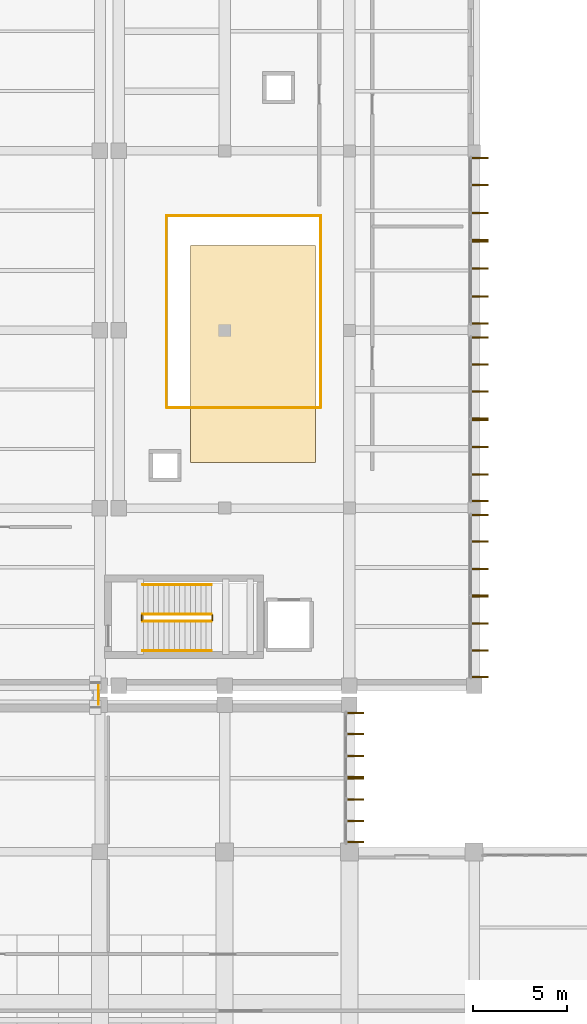
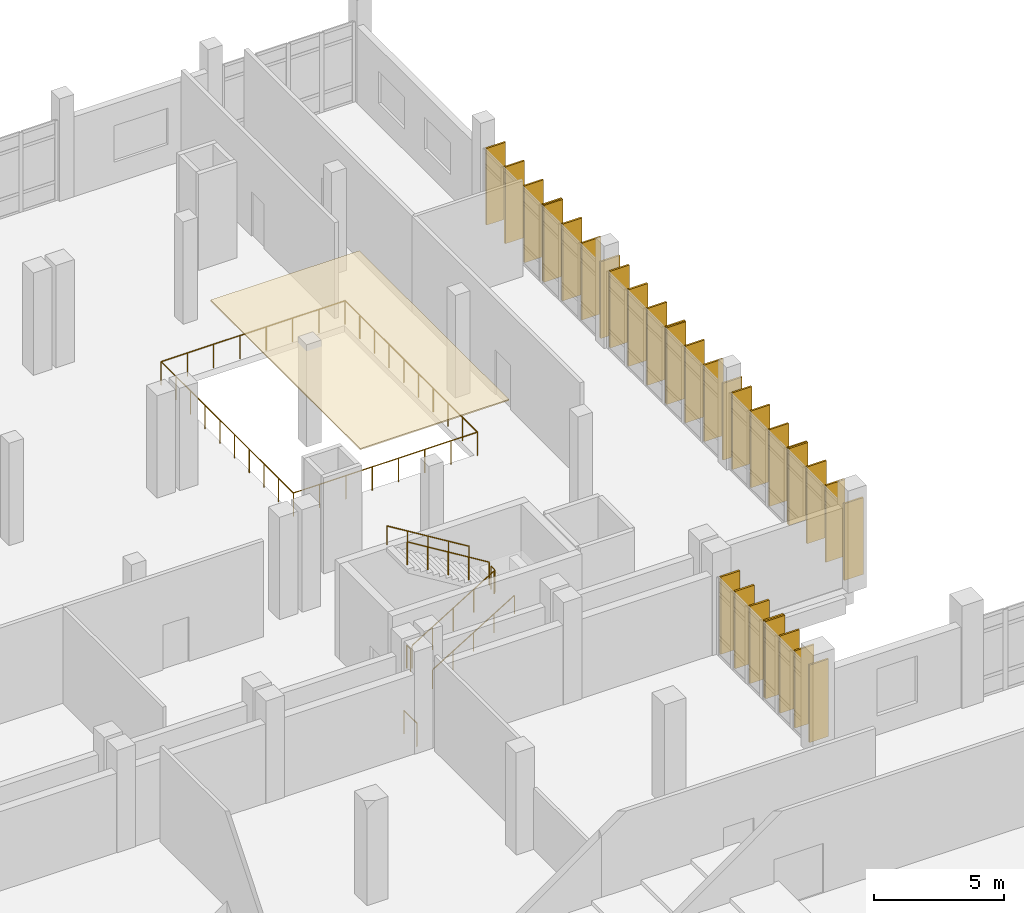
# One storey, part 89 of 90: 32 shading devices, 11 railings, 1 covering.
"""IFC4 building model written with IfcOpenShell, lengths in metres."""

from ifc_helpers import new_model, si_unit, direction, frame, origin, origin_2d, place, context, subcontext, project, spatial, polyline, rectangle, circle, outline, extrude, material, layer, layer_set, type_object, element, save


model = new_model("IFC4")

# Units and contexts
model_context = context("Model", 3, precision=1e-05, world=origin(), true_north=direction((0.0, 1.0)))
body_context = subcontext(model_context, "Body", "Model", "MODEL_VIEW")
ifc_project = project(units=[si_unit("LENGTHUNIT", "METRE"), si_unit("AREAUNIT", "SQUARE_METRE"), si_unit("VOLUMEUNIT", "CUBIC_METRE"), si_unit("PLANEANGLEUNIT", "RADIAN"), si_unit("MASSUNIT", "GRAM", prefix="KILO")], contexts=[model_context])

# Site, building, storey
site_placement = place(None, origin())
site = spatial("IfcSite", under=ifc_project, at=site_placement, CompositionType="ELEMENT")
building_placement = place(site_placement, origin())
building = spatial("IfcBuilding", under=site, at=building_placement, Name="Kelarvand Opera House", CompositionType="ELEMENT")
storey_placement = place(building_placement, frame((0.0, 0.0, 5.39990234375)))
storey = spatial("IfcBuildingStorey", under=building, at=storey_placement, Name="L01", CompositionType="ELEMENT", Elevation=5.39990234375)

# Railings
ifc_material_1 = material(Name="Brushed bronze tubular rail")
railing_type_1 = type_object("IfcRailingType", Name="Brushed Bronze Stair Wall Handrail 900", PredefinedType="HANDRAIL", material=ifc_material_1)
railing_1_placement = place(storey_placement, frame((117.659912109375, 89.050048828125, 0.171630859375)))
element("IfcRailing", 1, at=railing_1_placement, inside=storey, type_object=railing_type_1, Name="L01 ST-07 stair handrail 1", PredefinedType="HANDRAIL", context=body_context, shape_type="SweptSolid", body=[
    extrude(circle(Radius=0.02392578125, at=origin_2d()), frame((0.0, 0.0, 0.8759765625), z_axis=(0.852865859571, 0.0, 0.52213008492), x_axis=(0.0, 1.0, 0.0)), (0.0, 0.0, 1.0), 4.26806640625),
    extrude(circle(Radius=0.02099609375, at=origin_2d()), origin(), (0.0, 0.0, 1.0), 0.851806640625),
    extrude(circle(Radius=0.02099609375, at=origin_2d()), frame((0.91015625, 0.0, 0.55712890625)), (0.0, 0.0, 1.0), 0.851806640625),
    extrude(circle(Radius=0.02099609375, at=origin_2d()), frame((1.820068359375, 0.0, 1.1142578125)), (0.0, 0.0, 1.0), 0.851806640625),
    extrude(circle(Radius=0.02099609375, at=origin_2d()), frame((2.72998046875, 0.0, 1.67138671875)), (0.0, 0.0, 1.0), 0.851806640625),
    extrude(circle(Radius=0.02099609375, at=origin_2d()), frame((3.64013671875, 0.0, 2.228515625)), (0.0, 0.0, 1.0), 0.851806640625),
])
railing_2_placement = place(storey_placement, frame((121.300048828125, 92.550048828125, 2.571533203125)))
element("IfcRailing", 2, at=railing_2_placement, inside=storey, type_object=railing_type_1, Name="L01 ST-07 stair handrail 2", PredefinedType="HANDRAIL", context=body_context, shape_type="SweptSolid", body=[
    extrude(circle(Radius=0.02392578125, at=origin_2d()), frame((0.0, 0.0, 0.8759765625), z_axis=(-0.852865859571, 0.0, 0.52213008492), x_axis=(0.0, -1.0, 0.0)), (0.0, 0.0, 1.0), 4.26806640625),
    extrude(circle(Radius=0.02099609375, at=origin_2d()), origin(), (0.0, 0.0, 1.0), 0.851806640625),
    extrude(circle(Radius=0.02099609375, at=origin_2d()), frame((-0.91015625, 0.0, 0.55712890625)), (0.0, 0.0, 1.0), 0.851806640625),
    extrude(circle(Radius=0.02099609375, at=origin_2d()), frame((-1.820068359375, 0.0, 1.1142578125)), (0.0, 0.0, 1.0), 0.851806640625),
    extrude(circle(Radius=0.02099609375, at=origin_2d()), frame((-2.72998046875, 0.0, 1.67138671875)), (0.0, 0.0, 1.0), 0.851806640625),
    extrude(circle(Radius=0.02099609375, at=origin_2d()), frame((-3.64013671875, 0.0, 2.228515625)), (0.0, 0.0, 1.0), 0.851806640625),
])
ifc_material_2 = material(Name="Laminated safety glass with bronze cap rail", Category="glass")
railing_type_2 = type_object("IfcRailingType", Name="Laminated Glass and Bronze Foyer Balustrade 1120", PredefinedType="BALUSTRADE", material=ifc_material_2)
railing_3_placement = place(storey_placement, frame((127.080078125, 112.080078125, 0.0)))
element("IfcRailing", 3, at=railing_3_placement, inside=storey, type_object=railing_type_2, Name="V5 L01 Balustrade 45", PredefinedType="BALUSTRADE", context=body_context, shape_type="SweptSolid", body=[
    extrude(circle(Radius=0.02392578125, at=origin_2d()), frame((0.0, 0.0, 1.09619140625), z_axis=(0.0, -1.0, 0.0), x_axis=(1.0, 0.0, 0.0)), (0.0, 0.0, 1.0), 10.16015625),
    extrude(circle(Radius=0.02099609375, at=origin_2d()), origin(), (0.0, 0.0, 1.0), 1.072021484375),
    extrude(circle(Radius=0.02099609375, at=origin_2d()), frame((0.0, -1.12890625, 0.0)), (0.0, 0.0, 1.0), 1.072021484375),
    extrude(circle(Radius=0.02099609375, at=origin_2d()), frame((0.0, -2.2578125, 0.0)), (0.0, 0.0, 1.0), 1.072021484375),
    extrude(circle(Radius=0.02099609375, at=origin_2d()), frame((0.0, -3.38671875, 0.0)), (0.0, 0.0, 1.0), 1.072021484375),
    extrude(circle(Radius=0.02099609375, at=origin_2d()), frame((0.0, -4.515625, 0.0)), (0.0, 0.0, 1.0), 1.072021484375),
    extrude(circle(Radius=0.02099609375, at=origin_2d()), frame((0.0, -5.64453125, 0.0)), (0.0, 0.0, 1.0), 1.072021484375),
    extrude(circle(Radius=0.02099609375, at=origin_2d()), frame((0.0, -6.7734375, 0.0)), (0.0, 0.0, 1.0), 1.072021484375),
    extrude(circle(Radius=0.02099609375, at=origin_2d()), frame((0.0, -7.90234375, 0.0)), (0.0, 0.0, 1.0), 1.072021484375),
    extrude(circle(Radius=0.02099609375, at=origin_2d()), frame((0.0, -9.03125, 0.0)), (0.0, 0.0, 1.0), 1.072021484375),
    extrude(circle(Radius=0.02099609375, at=origin_2d()), frame((0.0, -10.16015625, 0.0)), (0.0, 0.0, 1.0), 1.072021484375),
])
railing_4_placement = place(storey_placement, frame((127.080078125, 101.919921875, 0.0)))
element("IfcRailing", 4, at=railing_4_placement, inside=storey, type_object=railing_type_2, Name="V5 L01 Balustrade 46", PredefinedType="BALUSTRADE", context=body_context, shape_type="SweptSolid", body=[
    extrude(circle(Radius=0.02392578125, at=origin_2d()), frame((0.0, 0.0, 1.09619140625), z_axis=(-1.0, 0.0, 0.0), x_axis=(0.0, -1.0, 0.0)), (0.0, 0.0, 1.0), 8.16015625),
    extrude(circle(Radius=0.02099609375, at=origin_2d()), origin(), (0.0, 0.0, 1.0), 1.072021484375),
    extrude(circle(Radius=0.02099609375, at=origin_2d()), frame((-1.165771484375, 0.0, 0.0)), (0.0, 0.0, 1.0), 1.072021484375),
    extrude(circle(Radius=0.02099609375, at=origin_2d()), frame((-2.33154296875, 0.0, 0.0)), (0.0, 0.0, 1.0), 1.072021484375),
    extrude(circle(Radius=0.02099609375, at=origin_2d()), frame((-3.497314453125, 0.0, 0.0)), (0.0, 0.0, 1.0), 1.072021484375),
    extrude(circle(Radius=0.02099609375, at=origin_2d()), frame((-4.662841796875, 0.0, 0.0)), (0.0, 0.0, 1.0), 1.072021484375),
    extrude(circle(Radius=0.02099609375, at=origin_2d()), frame((-5.82861328125, 0.0, 0.0)), (0.0, 0.0, 1.0), 1.072021484375),
    extrude(circle(Radius=0.02099609375, at=origin_2d()), frame((-6.994384765625, 0.0, 0.0)), (0.0, 0.0, 1.0), 1.072021484375),
    extrude(circle(Radius=0.02099609375, at=origin_2d()), frame((-8.16015625, 0.0, 0.0)), (0.0, 0.0, 1.0), 1.072021484375),
])
railing_5_placement = place(storey_placement, frame((118.919921875, 101.919921875, 0.0)))
element("IfcRailing", 5, at=railing_5_placement, inside=storey, type_object=railing_type_2, Name="V5 L01 Balustrade 47", PredefinedType="BALUSTRADE", context=body_context, shape_type="SweptSolid", body=[
    extrude(circle(Radius=0.02392578125, at=origin_2d()), frame((0.0, 0.0, 1.09619140625), z_axis=(0.0, 1.0, 0.0), x_axis=(-1.0, 0.0, 0.0)), (0.0, 0.0, 1.0), 10.16015625),
    extrude(circle(Radius=0.02099609375, at=origin_2d()), origin(), (0.0, 0.0, 1.0), 1.072021484375),
    extrude(circle(Radius=0.02099609375, at=origin_2d()), frame((0.0, 1.12890625, 0.0)), (0.0, 0.0, 1.0), 1.072021484375),
    extrude(circle(Radius=0.02099609375, at=origin_2d()), frame((0.0, 2.2578125, 0.0)), (0.0, 0.0, 1.0), 1.072021484375),
    extrude(circle(Radius=0.02099609375, at=origin_2d()), frame((0.0, 3.38671875, 0.0)), (0.0, 0.0, 1.0), 1.072021484375),
    extrude(circle(Radius=0.02099609375, at=origin_2d()), frame((0.0, 4.515625, 0.0)), (0.0, 0.0, 1.0), 1.072021484375),
    extrude(circle(Radius=0.02099609375, at=origin_2d()), frame((0.0, 5.64453125, 0.0)), (0.0, 0.0, 1.0), 1.072021484375),
    extrude(circle(Radius=0.02099609375, at=origin_2d()), frame((0.0, 6.7734375, 0.0)), (0.0, 0.0, 1.0), 1.072021484375),
    extrude(circle(Radius=0.02099609375, at=origin_2d()), frame((0.0, 7.90234375, 0.0)), (0.0, 0.0, 1.0), 1.072021484375),
    extrude(circle(Radius=0.02099609375, at=origin_2d()), frame((0.0, 9.03125, 0.0)), (0.0, 0.0, 1.0), 1.072021484375),
    extrude(circle(Radius=0.02099609375, at=origin_2d()), frame((0.0, 10.16015625, 0.0)), (0.0, 0.0, 1.0), 1.072021484375),
])
railing_6_placement = place(storey_placement, frame((118.919921875, 112.080078125, 0.0)))
element("IfcRailing", 6, at=railing_6_placement, inside=storey, type_object=railing_type_2, Name="V5 L01 Balustrade 48", PredefinedType="BALUSTRADE", context=body_context, shape_type="SweptSolid", body=[
    extrude(circle(Radius=0.02392578125, at=origin_2d()), frame((0.0, 0.0, 1.09619140625), z_axis=(1.0, 0.0, 0.0), x_axis=(0.0, 1.0, 0.0)), (0.0, 0.0, 1.0), 8.16015625),
    extrude(circle(Radius=0.02099609375, at=origin_2d()), origin(), (0.0, 0.0, 1.0), 1.072021484375),
    extrude(circle(Radius=0.02099609375, at=origin_2d()), frame((1.165771484375, 0.0, 0.0)), (0.0, 0.0, 1.0), 1.072021484375),
    extrude(circle(Radius=0.02099609375, at=origin_2d()), frame((2.33154296875, 0.0, 0.0)), (0.0, 0.0, 1.0), 1.072021484375),
    extrude(circle(Radius=0.02099609375, at=origin_2d()), frame((3.497314453125, 0.0, 0.0)), (0.0, 0.0, 1.0), 1.072021484375),
    extrude(circle(Radius=0.02099609375, at=origin_2d()), frame((4.662841796875, 0.0, 0.0)), (0.0, 0.0, 1.0), 1.072021484375),
    extrude(circle(Radius=0.02099609375, at=origin_2d()), frame((5.82861328125, 0.0, 0.0)), (0.0, 0.0, 1.0), 1.072021484375),
    extrude(circle(Radius=0.02099609375, at=origin_2d()), frame((6.994384765625, 0.0, 0.0)), (0.0, 0.0, 1.0), 1.072021484375),
    extrude(circle(Radius=0.02099609375, at=origin_2d()), frame((8.16015625, 0.0, 0.0)), (0.0, 0.0, 1.0), 1.072021484375),
])
railing_7_placement = place(storey_placement, frame((115.320068359375, 86.199951171875, 0.0)))
element("IfcRailing", 7, at=railing_7_placement, inside=storey, type_object=railing_type_2, Name="V1 L01 Balustrade 174", PredefinedType="BALUSTRADE", context=body_context, shape_type="SweptSolid", body=[
    extrude(circle(Radius=0.02392578125, at=origin_2d()), frame((0.0, 0.0, 1.09619140625), z_axis=(0.0, 1.0, 0.0), x_axis=(-1.0, 0.0, 0.0)), (0.0, 0.0, 1.0), 1.0),
    extrude(circle(Radius=0.02099609375, at=origin_2d()), origin(), (0.0, 0.0, 1.0), 1.072021484375),
    extrude(circle(Radius=0.02099609375, at=origin_2d()), frame((0.0, 1.0, 0.0)), (0.0, 0.0, 1.0), 1.072021484375),
])
ifc_material_3 = material(Name="Powder-coated Steel S355", Category="steel")
railing_type_3 = type_object("IfcRailingType", Name="Painted Steel Stair and Void Guardrail 1100", PredefinedType="GUARDRAIL", material=ifc_material_3)
railing_8_placement = place(storey_placement, frame((117.659912109375, 90.610107421875, 0.171630859375)))
element("IfcRailing", 8, at=railing_8_placement, inside=storey, type_object=railing_type_3, Name="L01 ST-07 stair guard 1", PredefinedType="GUARDRAIL", context=body_context, shape_type="SweptSolid", body=[
    extrude(circle(Radius=0.02392578125, at=origin_2d()), frame((0.0, 0.0, 1.076171875), z_axis=(0.852865859571, 0.0, 0.52213008492), x_axis=(0.0, 1.0, 0.0)), (0.0, 0.0, 1.0), 4.26806640625),
    extrude(circle(Radius=0.02099609375, at=origin_2d()), origin(), (0.0, 0.0, 1.0), 1.052001953125),
    extrude(circle(Radius=0.02099609375, at=origin_2d()), frame((0.91015625, 0.0, 0.55712890625)), (0.0, 0.0, 1.0), 1.052001953125),
    extrude(circle(Radius=0.02099609375, at=origin_2d()), frame((1.820068359375, 0.0, 1.1142578125)), (0.0, 0.0, 1.0), 1.052001953125),
    extrude(circle(Radius=0.02099609375, at=origin_2d()), frame((2.72998046875, 0.0, 1.67138671875)), (0.0, 0.0, 1.0), 1.052001953125),
    extrude(circle(Radius=0.02099609375, at=origin_2d()), frame((3.64013671875, 0.0, 2.228515625)), (0.0, 0.0, 1.0), 1.052001953125),
])
railing_9_placement = place(storey_placement, frame((121.35009765625, 90.659912109375, 2.400146484375)))
element("IfcRailing", 9, at=railing_9_placement, inside=storey, type_object=railing_type_3, Name="L01 ST-07 stair guard 2", PredefinedType="GUARDRAIL", context=body_context, shape_type="SweptSolid", body=[
    extrude(circle(Radius=0.02392578125, at=origin_2d()), frame((0.0, 0.0, 1.076171875), z_axis=(0.0, 1.0, 0.0), x_axis=(-1.0, 0.0, 0.0)), (0.0, 0.0, 1.0), 0.280029296875),
    extrude(circle(Radius=0.02099609375, at=origin_2d()), origin(), (0.0, 0.0, 1.0), 1.052001953125),
    extrude(circle(Radius=0.02099609375, at=origin_2d()), frame((0.0, 0.280029296875, 0.0)), (0.0, 0.0, 1.0), 1.052001953125),
])
railing_10_placement = place(storey_placement, frame((121.300048828125, 90.989990234375, 2.571533203125)))
element("IfcRailing", 10, at=railing_10_placement, inside=storey, type_object=railing_type_3, Name="L01 ST-07 stair guard 3", PredefinedType="GUARDRAIL", context=body_context, shape_type="SweptSolid", body=[
    extrude(circle(Radius=0.02392578125, at=origin_2d()), frame((0.0, 0.0, 1.076171875), z_axis=(-0.852865859571, 0.0, 0.52213008492), x_axis=(0.0, -1.0, 0.0)), (0.0, 0.0, 1.0), 4.26806640625),
    extrude(circle(Radius=0.02099609375, at=origin_2d()), origin(), (0.0, 0.0, 1.0), 1.052001953125),
    extrude(circle(Radius=0.02099609375, at=origin_2d()), frame((-0.91015625, 0.0, 0.55712890625)), (0.0, 0.0, 1.0), 1.052001953125),
    extrude(circle(Radius=0.02099609375, at=origin_2d()), frame((-1.820068359375, 0.0, 1.1142578125)), (0.0, 0.0, 1.0), 1.052001953125),
    extrude(circle(Radius=0.02099609375, at=origin_2d()), frame((-2.72998046875, 0.0, 1.67138671875)), (0.0, 0.0, 1.0), 1.052001953125),
    extrude(circle(Radius=0.02099609375, at=origin_2d()), frame((-3.64013671875, 0.0, 2.228515625)), (0.0, 0.0, 1.0), 1.052001953125),
])
railing_11_placement = place(storey_placement, frame((117.610107421875, 90.659912109375, 0.0)))
element("IfcRailing", 11, at=railing_11_placement, inside=storey, type_object=railing_type_3, Name="L01 ST-07 stair guard 4", PredefinedType="GUARDRAIL", context=body_context, shape_type="SweptSolid", body=[
    extrude(circle(Radius=0.02392578125, at=origin_2d()), frame((0.0, 0.0, 1.076171875), z_axis=(0.0, 1.0, 0.0), x_axis=(-1.0, 0.0, 0.0)), (0.0, 0.0, 1.0), 0.280029296875),
    extrude(circle(Radius=0.02099609375, at=origin_2d()), origin(), (0.0, 0.0, 1.0), 1.052001953125),
    extrude(circle(Radius=0.02099609375, at=origin_2d()), frame((0.0, 0.280029296875, 0.0)), (0.0, 0.0, 1.0), 1.052001953125),
])

# Covering
ifc_material_4 = material(Name="Perforated walnut acoustic slats on steel sub-frame", Category="steel")
ifc_layer_1 = layer(ifc_material_4, 0.06005859375, Name="Perforated walnut acoustic slats on steel sub-frame", Category="steel")
ifc_layer_set_1 = layer_set([ifc_layer_1], Name="Perforated walnut acoustic slats on steel sub-frame")
covering_type = type_object("IfcCoveringType", Name="Sculpted Timber Acoustic Soffit and Hall Ceiling 60mm", PredefinedType="CEILING", material=ifc_layer_set_1)
covering_placement = place(storey_placement, frame((0.0, 0.0, 4.440185546875)))
element("IfcCovering", 12, at=covering_placement, inside=storey, type_object=covering_type, Name="V5 L01 Acoustic Walnut Ceiling 8", PredefinedType="CEILING", context=body_context, shape_type="SweptSolid", body=[
    extrude(outline(polyline([(120.199951171875, 99.0), (126.800048828125, 99.0), (126.800048828125, 110.5), (120.199951171875, 110.5), (120.199951171875, 99.0)])), origin(), (0.0, 0.0, 1.0), 0.059814453125),
])

# Shading devices
ifc_material_5 = material(Name="Bronze-framed Azarshahr travertine fin", Category="masonry")
ifc_layer_2 = layer(ifc_material_5, 0.080078125, Name="Bronze-framed Azarshahr travertine fin", Category="masonry")
ifc_layer_set_2 = layer_set([ifc_layer_2], Name="Bronze-framed Azarshahr travertine fin")
shading_device_type = type_object("IfcShadingDeviceType", Name="Vertical Travertine-Bronze Solar Fin 850x80", PredefinedType="USERDEFINED", material=ifc_layer_set_2)
for number, where, z_axis, x_axis, name in (
    (13, (128.93994140625, 85.742431640625, 0.000244140625), (0.0, 0.0, 1.0), (1.0, 0.0, 0.0), "V1 Solar Fin 17"),
    (14, (128.93994140625, 84.632080078125, 0.000244140625), (0.0, 0.0, 1.0), (1.0, 0.0, 0.0), "V1 Solar Fin 18"),
    (15, (128.93994140625, 83.484375, 0.000244140625), (0.0, 0.0, 1.0), (1.0, 0.0, 0.0), "V1 Solar Fin 19"),
    (16, (128.93994140625, 82.3740234375, 0.000244140625), (0.0, 0.0, 1.0), (1.0, 0.0, 0.0), "V1 Solar Fin 20"),
    (17, (128.93994140625, 82.294921875, 0.000244140625), (0.0, 0.0, 1.0), (1.0, 0.0, 0.0), "V1 Solar Fin 21"),
    (18, (128.93994140625, 81.183349609375, 0.000244140625), (0.0, 0.0, 1.0), (1.0, 0.0, 0.0), "V1 Solar Fin 22"),
    (19, (128.93994140625, 80.0341796875, 0.000244140625), (0.0, 0.0, 1.0), (1.0, 0.0, 0.0), "V1 Solar Fin 23"),
    (20, (128.93994140625, 78.922607421875, 0.000244140625), (0.0, 0.0, 1.0), (1.0, 0.0, 0.0), "V1 Solar Fin 24"),
):
    element("IfcShadingDevice", number, at=place(storey_placement, frame(where, z_axis=z_axis, x_axis=x_axis)), inside=storey, type_object=shading_device_type, Name=name, ObjectType="FIN", PredefinedType="USERDEFINED", context=body_context, shape_type="SweptSolid", body=[
        extrude(rectangle(XDim=0.85009765625, YDim=0.080078125, at=origin_2d()), origin(), (0.0, 0.0, 1.0), 3.6298828125),
    ])
for number, where, z_axis, x_axis, name in (
    (21, (135.52001953125, 115.132568359375, 0.0), (0.0, 0.0, 1.0), (1.0, 0.0, 0.0), "V5 Solar Fin 171"),
    (22, (135.52001953125, 113.694580078125, 0.0), (0.0, 0.0, 1.0), (1.0, 0.0, 0.0), "V5 Solar Fin 172"),
    (23, (135.52001953125, 112.224365234375, 0.0), (0.0, 0.0, 1.0), (1.0, 0.0, 0.0), "V5 Solar Fin 173"),
    (24, (135.52001953125, 110.78662109375, 0.0), (0.0, 0.0, 1.0), (1.0, 0.0, 0.0), "V5 Solar Fin 174"),
    (25, (135.52001953125, 110.717529296875, 0.0), (0.0, 0.0, 1.0), (1.0, 0.0, 0.0), "V5 Solar Fin 175"),
    (26, (135.52001953125, 109.2783203125, 0.0), (0.0, 0.0, 1.0), (1.0, 0.0, 0.0), "V5 Solar Fin 176"),
    (27, (135.52001953125, 107.806640625, 0.0), (0.0, 0.0, 1.0), (1.0, 0.0, 0.0), "V5 Solar Fin 177"),
    (28, (135.52001953125, 106.367431640625, 0.0), (0.0, 0.0, 1.0), (1.0, 0.0, 0.0), "V5 Solar Fin 178"),
    (29, (135.52001953125, 105.632568359375, 0.0), (0.0, 0.0, 1.0), (1.0, 0.0, 0.0), "V5 Solar Fin 179"),
    (30, (135.52001953125, 104.211181640625, 0.0), (0.0, 0.0, 1.0), (1.0, 0.0, 0.0), "V5 Solar Fin 180"),
    (31, (135.52001953125, 102.7578125, 0.0), (0.0, 0.0, 1.0), (1.0, 0.0, 0.0), "V5 Solar Fin 181"),
    (32, (135.52001953125, 101.33642578125, 0.0), (0.0, 0.0, 1.0), (1.0, 0.0, 0.0), "V5 Solar Fin 182"),
    (33, (135.52001953125, 101.267578125, 0.0), (0.0, 0.0, 1.0), (1.0, 0.0, 0.0), "V5 Solar Fin 183"),
    (34, (135.52001953125, 99.844970703125, 0.0), (0.0, 0.0, 1.0), (1.0, 0.0, 0.0), "V5 Solar Fin 184"),
    (35, (135.52001953125, 98.389892578125, 0.0), (0.0, 0.0, 1.0), (1.0, 0.0, 0.0), "V5 Solar Fin 185"),
    (36, (135.52001953125, 96.967529296875, 0.0), (0.0, 0.0, 1.0), (1.0, 0.0, 0.0), "V5 Solar Fin 186"),
    (37, (135.52001953125, 96.232421875, 0.0), (0.0, 0.0, 1.0), (1.0, 0.0, 0.0), "V5 Solar Fin 187"),
    (38, (135.52001953125, 94.825439453125, 0.0), (0.0, 0.0, 1.0), (1.0, 0.0, 0.0), "V5 Solar Fin 188"),
    (39, (135.52001953125, 93.385986328125, 0.0), (0.0, 0.0, 1.0), (1.0, 0.0, 0.0), "V5 Solar Fin 189"),
    (40, (135.52001953125, 91.97900390625, 0.0), (0.0, 0.0, 1.0), (1.0, 0.0, 0.0), "V5 Solar Fin 190"),
    (41, (135.52001953125, 91.909912109375, 0.0), (0.0, 0.0, 1.0), (1.0, 0.0, 0.0), "V5 Solar Fin 191"),
    (42, (135.52001953125, 90.501708984375, 0.0), (0.0, 0.0, 1.0), (1.0, 0.0, 0.0), "V5 Solar Fin 192"),
    (43, (135.52001953125, 89.060791015625, 0.0), (0.0, 0.0, 1.0), (1.0, 0.0, 0.0), "V5 Solar Fin 193"),
    (44, (135.52001953125, 87.652587890625, 0.0), (0.0, 0.0, 1.0), (1.0, 0.0, 0.0), "V5 Solar Fin 194"),
):
    element("IfcShadingDevice", number, at=place(storey_placement, frame(where, z_axis=z_axis, x_axis=x_axis)), inside=storey, type_object=shading_device_type, Name=name, ObjectType="FIN", PredefinedType="USERDEFINED", context=body_context, shape_type="SweptSolid", body=[
        extrude(rectangle(XDim=0.85009765625, YDim=0.080078125, at=origin_2d()), origin(), (0.0, 0.0, 1.0), 3.60009765625),
    ])

save(model, "model.ifc")
